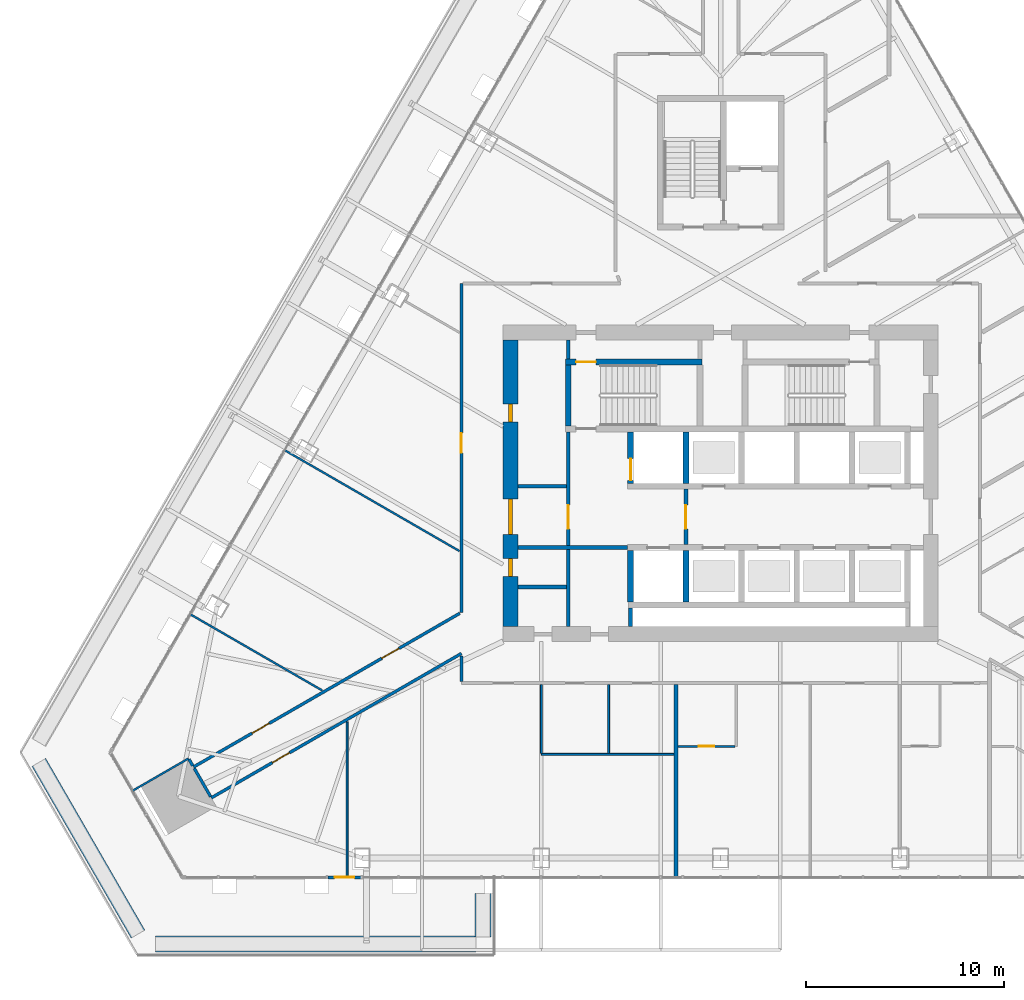
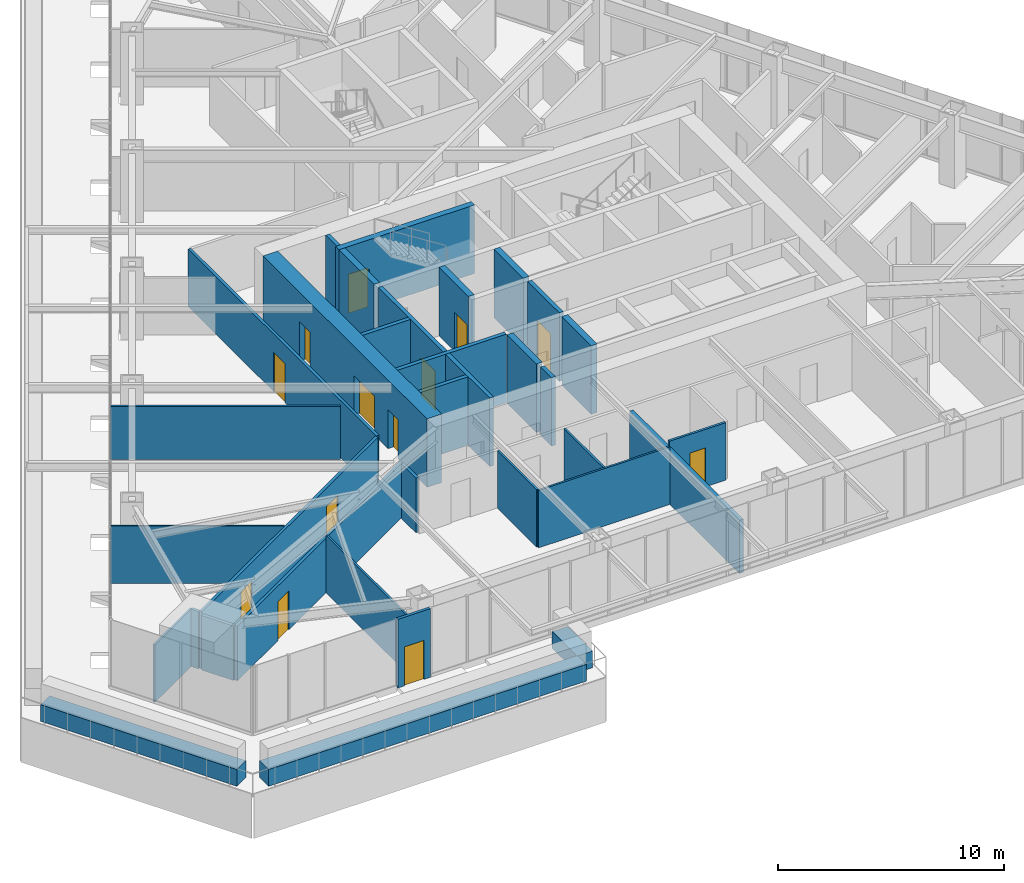
# One storey, part 26 of 35: 34 walls, 13 doors, 13 openings, 1 element without a shape of its own.
"""IFC4 building model written with IfcOpenShell, lengths in metres."""

from ifc_helpers import new_model, si_unit, direction, frame, frame_2d, origin, place, context, subcontext, project, spatial, rectangle, extrude, material, layer, layer_set, type_object, element, fill, aggregate, save


model = new_model("IFC4")

# Units and contexts
model_context = context("Model", 3, precision=1e-05, world=origin(), true_north=direction((0.0, 1.0)))
body_context = subcontext(model_context, "Body", "Model", "MODEL_VIEW")
ifc_project = project(units=[si_unit("LENGTHUNIT", "METRE"), si_unit("AREAUNIT", "SQUARE_METRE"), si_unit("VOLUMEUNIT", "CUBIC_METRE"), si_unit("PLANEANGLEUNIT", "RADIAN"), si_unit("MASSUNIT", "GRAM", prefix="KILO")], contexts=[model_context])

# Site, building, storey
site_placement = place(None, origin())
site = spatial("IfcSite", under=ifc_project, at=site_placement, CompositionType="ELEMENT")
building_placement = place(site_placement, origin())
building = spatial("IfcBuilding", under=site, at=building_placement, Name="Firuza Gate Tower and Library", CompositionType="ELEMENT")
storey_placement = place(building_placement, frame((0.0, 0.0, 159.699951171875)))
storey = spatial("IfcBuildingStorey", under=building, at=storey_placement, Name="L36", CompositionType="ELEMENT", Elevation=159.699951171875)

# Walls
ifc_material_1 = material(Name="Plasterboard on steel studs", Category="steel")
ifc_layer_1 = layer(ifc_material_1, 0.199951171875)
ifc_layer_set_1 = layer_set([ifc_layer_1], Name="Core partition 200 EI 120")
wall_type_1 = type_object("IfcWallType", Name="Core partition 200 EI 120", PredefinedType="PARTITIONING", material=ifc_layer_set_1)
wall_1_placement = place(storey_placement, frame((64.75, 71.75, 0.0), z_axis=(0.0, 0.0, 1.0), x_axis=(1.0, 0.0, 0.0)))
element("IfcWall", 1, at=wall_1_placement, inside=storey, type_object=wall_type_1, Name="Core partition L36 2", PredefinedType="PARTITIONING", context=body_context, shape_type="SweptSolid", body=[
    extrude(rectangle(XDim=5.550048828125, YDim=0.199951171875, at=frame_2d((2.77490234375, 0.0))), origin(), (0.0, 0.0, 1.0), 3.699951171875),
])
wall_2_placement = place(storey_placement, frame((64.75, 74.85009765625, 0.0), z_axis=(0.0, 0.0, 1.0), x_axis=(1.0, 0.0, 0.0)))
element("IfcWall", 2, at=wall_2_placement, inside=storey, type_object=wall_type_1, Name="Core partition L36 4", PredefinedType="PARTITIONING", context=body_context, shape_type="SweptSolid", body=[
    extrude(rectangle(XDim=2.449951171875, YDim=0.199951171875, at=frame_2d((1.22509765625, 0.0))), origin(), (0.0, 0.0, 1.0), 3.699951171875),
])
wall_3_placement = place(storey_placement, frame((67.300048828125, 67.75, 0.0), z_axis=(0.0, 0.0, 1.0), x_axis=(0.0, 1.0, 0.0)))
element("IfcWall", 3, at=wall_3_placement, inside=storey, type_object=wall_type_1, Name="Core partition L36 7", PredefinedType="PARTITIONING", context=body_context, shape_type="SweptSolid", body=[
    extrude(rectangle(XDim=3.89990234375, YDim=0.199951171875, at=frame_2d((1.949951171875, 0.0))), origin(), (0.0, 0.0, 1.0), 3.699951171875),
])

# Wall, opening, door
wall_4_placement = place(storey_placement, frame((67.300048828125, 71.85009765625, 0.0), z_axis=(0.0, 0.0, 1.0), x_axis=(0.0, 1.0, 0.0)))
wall_4 = element("IfcWall", 4, at=wall_4_placement, inside=storey, type_object=wall_type_1, Name="Core partition L36 8", PredefinedType="PARTITIONING", context=body_context, shape_type="SweptSolid", body=[
    extrude(rectangle(XDim=5.75, YDim=0.199951171875, at=frame_2d((2.875, 0.0))), origin(), (0.0, 0.0, 1.0), 3.699951171875),
])
opening_1_placement = place(wall_4_placement, frame((0.85009765625, 0.0, 0.0)))
opening_1 = element("IfcOpeningElement", 5, at=opening_1_placement, cuts=wall_4, Name="Opening L36-K19", PredefinedType="OPENING", context=body_context, shape_type="SweptSolid", body=[
    extrude(rectangle(XDim=1.199951171875, YDim=2.10009765625, at=frame_2d((0.60009765625, 1.050048828125))), frame((0.0, 0.10986328125, 0.0), z_axis=(0.0, -1.0, 0.0), x_axis=(1.0, 0.0, 0.0)), (0.0, 0.0, 1.0), 0.219970703125),
])
ifc_material_2 = material(Name="Steel", Category="steel")
door_type_1 = type_object("IfcDoorType", Name="Fire door 1200x2100 FD90S", OperationType="NOTDEFINED", PredefinedType="DOOR", material=ifc_material_2)
door_1_placement = place(opening_1_placement, origin())
door_1 = element("IfcDoor", 6, at=door_1_placement, inside=storey, type_object=door_type_1, Name="Door L36-K19", OperationType="SINGLE_SWING_RIGHT", OverallHeight=2.10009765625, OverallWidth=1.199951171875, PredefinedType="DOOR", context=body_context, shape_type="SweptSolid", body=[
    extrude(rectangle(XDim=1.199951171875, YDim=2.10009765625, at=frame_2d((0.60009765625, 1.050048828125))), frame((0.0, 0.02490234375, 0.0), z_axis=(0.0, -1.0, 0.0), x_axis=(1.0, 0.0, 0.0)), (0.0, 0.0, 1.0), 0.050048828125),
])
fill(opening_1, door_1)

# Walls
wall_5_placement = place(storey_placement, frame((67.300048828125, 81.280029296875, 0.0), z_axis=(0.0, 0.0, 1.0), x_axis=(0.0, 1.0, 0.0)))
element("IfcWall", 7, at=wall_5_placement, inside=storey, type_object=wall_type_1, Name="Core partition L36 9", PredefinedType="PARTITIONING", context=body_context, shape_type="SweptSolid", body=[
    extrude(rectangle(XDim=0.969970703125, YDim=0.199951171875, at=frame_2d((0.48486328125, 0.0))), origin(), (0.0, 0.0, 1.0), 3.699951171875),
])
wall_6_placement = place(storey_placement, frame((70.449951171875, 67.75, 0.0), z_axis=(0.0, 0.0, 1.0), x_axis=(0.0, 1.0, 0.0)))
element("IfcWall", 8, at=wall_6_placement, inside=storey, type_object=wall_type_1, Name="Core partition L36 10", PredefinedType="PARTITIONING", context=body_context, shape_type="SweptSolid", body=[
    extrude(rectangle(XDim=0.949951171875, YDim=0.199951171875, at=frame_2d((0.47509765625, 0.0))), origin(), (0.0, 0.0, 1.0), 3.699951171875),
])
ifc_material_3 = material(Name="Plasterboard on steel studs", Category="steel")
ifc_layer_2 = layer(ifc_material_3, 0.199951171875)
ifc_layer_set_2 = layer_set([ifc_layer_2], Name="Core partition 200 EI 60")
wall_type_2 = type_object("IfcWallType", Name="Core partition 200 EI 60", PredefinedType="PARTITIONING", material=ifc_layer_set_2)
wall_7_placement = place(storey_placement, frame((64.75, 69.75, 0.0), z_axis=(0.0, 0.0, 1.0), x_axis=(1.0, 0.0, 0.0)))
element("IfcWall", 9, at=wall_7_placement, inside=storey, type_object=wall_type_2, Name="Core partition L36 1", PredefinedType="PARTITIONING", context=body_context, shape_type="SweptSolid", body=[
    extrude(rectangle(XDim=2.449951171875, YDim=0.199951171875, at=frame_2d((1.22509765625, 0.0))), origin(), (0.0, 0.0, 1.0), 3.699951171875),
])

# Wall, opening, door
wall_8_placement = place(storey_placement, frame((73.25, 71.89990234375, 0.0), z_axis=(0.0, 0.0, 1.0), x_axis=(0.0, 1.0, 0.0)))
wall_8 = element("IfcWall", 10, at=wall_8_placement, inside=storey, type_object=wall_type_2, Name="Core partition L36 11", PredefinedType="PARTITIONING", context=body_context, shape_type="SweptSolid", body=[
    extrude(rectangle(XDim=2.800048828125, YDim=0.199951171875, at=frame_2d((1.39990234375, 0.0))), origin(), (0.0, 0.0, 1.0), 3.699951171875),
])
opening_2_placement = place(wall_8_placement, frame((0.800048828125, 0.0, 0.0)))
opening_2 = element("IfcOpeningElement", 11, at=opening_2_placement, cuts=wall_8, Name="Opening L36-K18", PredefinedType="OPENING", context=body_context, shape_type="SweptSolid", body=[
    extrude(rectangle(XDim=1.199951171875, YDim=2.10009765625, at=frame_2d((0.60009765625, 1.050048828125))), frame((0.0, 0.10986328125, 0.0), z_axis=(0.0, -1.0, 0.0), x_axis=(1.0, 0.0, 0.0)), (0.0, 0.0, 1.0), 0.219970703125),
])
door_2_placement = place(opening_2_placement, origin())
door_2 = element("IfcDoor", 12, at=door_2_placement, inside=storey, type_object=door_type_1, Name="Door L36-K18", OperationType="SINGLE_SWING_LEFT", OverallHeight=2.10009765625, OverallWidth=1.199951171875, PredefinedType="DOOR", context=body_context, shape_type="SweptSolid", body=[
    extrude(rectangle(XDim=1.199951171875, YDim=2.10009765625, at=frame_2d((0.60009765625, 1.050048828125))), frame((0.0, 0.02490234375, 0.0), z_axis=(0.0, -1.0, 0.0), x_axis=(1.0, 0.0, 0.0)), (0.0, 0.0, 1.0), 0.050048828125),
])
fill(opening_2, door_2)

# Wall
ifc_material_4 = material(Name="Concrete C80/95", Category="concrete")
ifc_layer_3 = layer(ifc_material_4, 0.300048828125)
ifc_layer_set_3 = layer_set([ifc_layer_3], Name="Core wall 300 C80/95")
wall_type_3 = type_object("IfcWallType", Name="Core wall 300 C80/95", PredefinedType="SHEAR", material=ifc_layer_set_3)
wall_9_placement = place(storey_placement, frame((70.449951171875, 69.0, 0.0), z_axis=(0.0, 0.0, 1.0), x_axis=(0.0, 1.0, 0.0)))
element("IfcWall", 13, at=wall_9_placement, inside=storey, type_object=wall_type_3, Name="Core wall L36 8", PredefinedType="SHEAR", context=body_context, shape_type="SweptSolid", body=[
    extrude(rectangle(XDim=2.60009765625, YDim=0.300048828125, at=frame_2d((1.300048828125, 0.0))), origin(), (0.0, 0.0, 1.0), 3.699951171875),
])

# Wall, opening, door
wall_10_placement = place(storey_placement, frame((70.449951171875, 75.0, 0.0), z_axis=(0.0, 0.0, 1.0), x_axis=(0.0, 1.0, 0.0)))
wall_10 = element("IfcWall", 14, at=wall_10_placement, inside=storey, type_object=wall_type_3, Name="Core wall L36 9", PredefinedType="SHEAR", context=body_context, shape_type="SweptSolid", body=[
    extrude(rectangle(XDim=2.60009765625, YDim=0.300048828125, at=frame_2d((1.300048828125, 0.0))), origin(), (0.0, 0.0, 1.0), 3.699951171875),
])
opening_3_placement = place(wall_10_placement, frame((0.14990234375, 0.0, 0.0)))
opening_3 = element("IfcOpeningElement", 15, at=opening_3_placement, cuts=wall_10, Name="Opening LD-FF2-L36", PredefinedType="OPENING", context=body_context, shape_type="SweptSolid", body=[
    extrude(rectangle(XDim=1.10009765625, YDim=2.10009765625, at=frame_2d((0.550048828125, 1.050048828125))), frame((0.0, 0.16015625, 0.0), z_axis=(0.0, -1.0, 0.0), x_axis=(1.0, 0.0, 0.0)), (0.0, 0.0, 1.0), 0.320068359375),
])
ifc_material_5 = material(Name="Stainless steel", Category="steel")
door_type_2 = type_object("IfcDoorType", Name="Lift landing door 1100x2100", OperationType="DOUBLE_DOOR_SLIDING", PredefinedType="DOOR", material=ifc_material_5)
door_3_placement = place(opening_3_placement, origin())
door_3 = element("IfcDoor", 16, at=door_3_placement, inside=storey, type_object=door_type_2, Name="Landing door FF2 L36", OperationType="DOUBLE_DOOR_SLIDING", OverallHeight=2.10009765625, OverallWidth=1.10009765625, PredefinedType="DOOR", context=body_context, shape_type="SweptSolid", body=[
    extrude(rectangle(XDim=1.10009765625, YDim=2.10009765625, at=frame_2d((0.550048828125, 1.050048828125))), frame((0.0, 0.02490234375, 0.0), z_axis=(0.0, -1.0, 0.0), x_axis=(1.0, 0.0, 0.0)), (0.0, 0.0, 1.0), 0.050048828125),
])
fill(opening_3, door_3)

# Walls
for number, where, z_axis, x_axis, name in (
    (17, (73.25, 69.0, 0.0), (0.0, 0.0, 1.0), (0.0, 1.0, 0.0), "Core wall L36 10"),
    (18, (73.25, 75.0, 0.0), (0.0, 0.0, 1.0), (0.0, 1.0, 0.0), "Core wall L36 11"),
):
    element("IfcWall", number, at=place(storey_placement, frame(where, z_axis=z_axis, x_axis=x_axis)), inside=storey, type_object=wall_type_3, Name=name, PredefinedType="SHEAR", context=body_context, shape_type="SweptSolid", body=[
        extrude(rectangle(XDim=2.60009765625, YDim=0.300048828125, at=frame_2d((1.300048828125, 0.0))), origin(), (0.0, 0.0, 1.0), 3.699951171875),
    ])

# Wall, opening, door
wall_11_placement = place(storey_placement, frame((67.14990234375, 81.1298828125, 0.0), z_axis=(0.0, 0.0, 1.0), x_axis=(1.0, 0.0, 0.0)))
wall_11 = element("IfcWall", 19, at=wall_11_placement, inside=storey, type_object=wall_type_3, Name="Core wall L36 21", PredefinedType="SHEAR", context=body_context, shape_type="SweptSolid", body=[
    extrude(rectangle(XDim=6.91015625, YDim=0.300048828125, at=frame_2d((3.455078125, 0.0))), origin(), (0.0, 0.0, 1.0), 3.699951171875),
])
opening_4_placement = place(wall_11_placement, frame((0.544921875, 0.0, 0.0)))
opening_4 = element("IfcOpeningElement", 20, at=opening_4_placement, cuts=wall_11, Name="Opening L36-K11", PredefinedType="OPENING", context=body_context, shape_type="SweptSolid", body=[
    extrude(rectangle(XDim=1.0, YDim=2.10009765625, at=frame_2d((0.5, 1.050048828125))), frame((0.0, 0.16015625, 0.0), z_axis=(0.0, -1.0, 0.0), x_axis=(1.0, 0.0, 0.0)), (0.0, 0.0, 1.0), 0.320068359375),
])
ifc_material_6 = material(Name="Steel", Category="steel")
door_type_3 = type_object("IfcDoorType", Name="Fire door 1000x2100 FD90", OperationType="NOTDEFINED", PredefinedType="DOOR", material=ifc_material_6)
door_4_placement = place(opening_4_placement, origin())
door_4 = element("IfcDoor", 21, at=door_4_placement, inside=storey, type_object=door_type_3, Name="Door L36-K11", OperationType="SINGLE_SWING_RIGHT", OverallHeight=2.10009765625, OverallWidth=1.0, PredefinedType="DOOR", context=body_context, shape_type="SweptSolid", body=[
    extrude(rectangle(XDim=1.0, YDim=2.10009765625, at=frame_2d((0.5, 1.050048828125))), frame((0.0, 0.02490234375, 0.0), z_axis=(0.0, -1.0, 0.0), x_axis=(1.0, 0.0, 0.0)), (0.0, 0.0, 1.0), 0.050048828125),
])
fill(opening_4, door_4)

# Wall
wall_12_placement = place(storey_placement, frame((67.300048828125, 77.89990234375, 0.0), z_axis=(0.0, 0.0, 1.0), x_axis=(0.0, 1.0, 0.0)))
element("IfcWall", 22, at=wall_12_placement, inside=storey, type_object=wall_type_3, Name="Core wall L36 23", PredefinedType="SHEAR", context=body_context, shape_type="SweptSolid", body=[
    extrude(rectangle(XDim=3.080078125, YDim=0.300048828125, at=frame_2d((1.5400390625, 0.0))), origin(), (0.0, 0.0, 1.0), 3.699951171875),
])

# Wall, openings, doors
ifc_material_7 = material(Name="Concrete C80/95", Category="concrete")
ifc_layer_4 = layer(ifc_material_7, 0.75)
ifc_layer_set_4 = layer_set([ifc_layer_4], Name="Core wall 750 C80/95")
wall_type_4 = type_object("IfcWallType", Name="Core wall 750 C80/95", PredefinedType="SHEAR", material=ifc_layer_set_4)
wall_13_placement = place(storey_placement, frame((64.375, 67.75, 0.0), z_axis=(0.0, 0.0, 1.0), x_axis=(0.0, 1.0, 0.0)))
wall_13 = element("IfcWall", 23, at=wall_13_placement, inside=storey, type_object=wall_type_4, Name="Core wall L36 3", PredefinedType="SHEAR", context=body_context, shape_type="SweptSolid", body=[
    extrude(rectangle(XDim=14.5, YDim=0.75, at=frame_2d((7.25, 0.0))), origin(), (0.0, 0.0, 1.0), 3.699951171875),
])
opening_5_placement = place(wall_13_placement, frame((4.64990234375, 0.0, 0.0)))
opening_5 = element("IfcOpeningElement", 24, at=opening_5_placement, cuts=wall_13, Name="Opening L36-K20", PredefinedType="OPENING", context=body_context, shape_type="SweptSolid", body=[
    extrude(rectangle(XDim=1.800048828125, YDim=2.10009765625, at=frame_2d((0.89990234375, 1.050048828125))), frame((0.0, 0.385009765625, 0.0), z_axis=(0.0, -1.0, 0.0), x_axis=(1.0, 0.0, 0.0)), (0.0, 0.0, 1.0), 0.77001953125),
])
opening_6_placement = place(wall_13_placement, frame((2.550048828125, 0.0, 0.0)))
opening_6 = element("IfcOpeningElement", 25, at=opening_6_placement, cuts=wall_13, Name="Opening L36-K23", PredefinedType="OPENING", context=body_context, shape_type="SweptSolid", body=[
    extrude(rectangle(XDim=0.89990234375, YDim=2.10009765625, at=frame_2d((0.449951171875, 1.050048828125))), frame((0.0, 0.385009765625, 0.0), z_axis=(0.0, -1.0, 0.0), x_axis=(1.0, 0.0, 0.0)), (0.0, 0.0, 1.0), 0.77001953125),
])
opening_7_placement = place(wall_13_placement, frame((10.35009765625, 0.0, 0.0)))
opening_7 = element("IfcOpeningElement", 26, at=opening_7_placement, cuts=wall_13, Name="Opening L36-K25", PredefinedType="OPENING", context=body_context, shape_type="SweptSolid", body=[
    extrude(rectangle(XDim=0.89990234375, YDim=2.10009765625, at=frame_2d((0.449951171875, 1.050048828125))), frame((0.0, 0.385009765625, 0.0), z_axis=(0.0, -1.0, 0.0), x_axis=(1.0, 0.0, 0.0)), (0.0, 0.0, 1.0), 0.77001953125),
])
ifc_material_8 = material(Name="Steel", Category="steel")
door_type_4 = type_object("IfcDoorType", Name="Fire door 1800x2100 FD30S", OperationType="NOTDEFINED", PredefinedType="DOOR", material=ifc_material_8)
door_5_placement = place(opening_5_placement, origin())
door_5 = element("IfcDoor", 27, at=door_5_placement, inside=storey, type_object=door_type_4, Name="Door L36-K20", OperationType="SINGLE_SWING_LEFT", OverallHeight=2.10009765625, OverallWidth=1.800048828125, PredefinedType="DOOR", context=body_context, shape_type="SweptSolid", body=[
    extrude(rectangle(XDim=1.800048828125, YDim=2.10009765625, at=frame_2d((0.89990234375, 1.050048828125))), frame((0.0, 0.094970703125, 0.0), z_axis=(0.0, -1.0, 0.0), x_axis=(1.0, 0.0, 0.0)), (0.0, 0.0, 1.0), 0.18994140625),
])
fill(opening_5, door_5)
ifc_material_9 = material(Name="Steel", Category="steel")
door_type_5 = type_object("IfcDoorType", Name="Fire door 900x2100 FD30S", OperationType="NOTDEFINED", PredefinedType="DOOR", material=ifc_material_9)
door_6_placement = place(opening_6_placement, origin())
door_6 = element("IfcDoor", 28, at=door_6_placement, inside=storey, type_object=door_type_5, Name="Door L36-K23", OperationType="SINGLE_SWING_RIGHT", OverallHeight=2.10009765625, OverallWidth=0.89990234375, PredefinedType="DOOR", context=body_context, shape_type="SweptSolid", body=[
    extrude(rectangle(XDim=0.89990234375, YDim=2.10009765625, at=frame_2d((0.449951171875, 1.050048828125))), frame((0.0, 0.094970703125, 0.0), z_axis=(0.0, -1.0, 0.0), x_axis=(1.0, 0.0, 0.0)), (0.0, 0.0, 1.0), 0.18994140625),
])
fill(opening_6, door_6)
door_7_placement = place(opening_7_placement, origin())
door_7 = element("IfcDoor", 29, at=door_7_placement, inside=storey, type_object=door_type_5, Name="Door L36-K25", OperationType="SINGLE_SWING_RIGHT", OverallHeight=2.10009765625, OverallWidth=0.89990234375, PredefinedType="DOOR", context=body_context, shape_type="SweptSolid", body=[
    extrude(rectangle(XDim=0.89990234375, YDim=2.10009765625, at=frame_2d((0.449951171875, 1.050048828125))), frame((0.0, 0.094970703125, 0.0), z_axis=(0.0, -1.0, 0.0), x_axis=(1.0, 0.0, 0.0)), (0.0, 0.0, 1.0), 0.18994140625),
])
fill(opening_7, door_7)

# Wall, opening, door
ifc_material_10 = material(Name="Gypsum board partition")
ifc_layer_5 = layer(ifc_material_10, 0.14990234375)
ifc_layer_set_5 = layer_set([ifc_layer_5], Name="Corridor wall 150 double board on steel studs")
wall_type_5 = type_object("IfcWallType", Name="Corridor wall 150 double board on steel studs", PredefinedType="PARTITIONING", material=ifc_layer_set_5)
wall_14_placement = place(storey_placement, frame((61.89990234375, 66.3974609375, 0.0), z_axis=(0.0, 0.0, 1.0), x_axis=(-0.86603071172, -0.499990806274, 0.0)))
wall_14 = element("IfcWall", 30, at=wall_14_placement, inside=storey, type_object=wall_type_5, Name="f:L36:w024", PredefinedType="PARTITIONING", context=body_context, shape_type="SweptSolid", body=[
    extrude(rectangle(XDim=14.595458984375, YDim=0.14990234375, at=frame_2d((7.2978515625, 0.0))), origin(), (0.0, 0.0, 1.0), 2.947021484375),
])
opening_8_placement = place(wall_14_placement, frame((10.0322265625, 0.0, 0.0)))
opening_8 = element("IfcOpeningElement", 31, at=opening_8_placement, cuts=wall_14, Name="Opening L36-18", PredefinedType="OPENING", context=body_context, shape_type="SweptSolid", body=[
    extrude(rectangle(XDim=1.0, YDim=2.10009765625, at=frame_2d((0.5, 1.050048828125))), frame((0.0, 0.0849609375, 0.0), z_axis=(0.0, -1.0, 0.0), x_axis=(1.0, 0.0, 0.0)), (0.0, 0.0, 1.0), 0.169921875),
])
ifc_material_11 = material(Name="Steel door and timber leaf", Category="steel")
door_type_6 = type_object("IfcDoorType", Name="Fire door 1000 x 2100 steel frame, timber leaf", OperationType="NOTDEFINED", PredefinedType="DOOR", material=ifc_material_11)
door_8_placement = place(opening_8_placement, origin())
door_8 = element("IfcDoor", 32, at=door_8_placement, inside=storey, type_object=door_type_6, Name="f:L36:d018", OperationType="SINGLE_SWING_RIGHT", OverallHeight=2.10009765625, OverallWidth=1.0, PredefinedType="DOOR", context=body_context, shape_type="SweptSolid", body=[
    extrude(rectangle(XDim=1.0, YDim=2.10009765625, at=frame_2d((0.5, 1.050048828125))), frame((0.0, 0.02490234375, 0.0), z_axis=(0.0, -1.0, 0.0), x_axis=(1.0, 0.0, 0.0)), (0.0, 0.0, 1.0), 0.050048828125),
])
fill(opening_8, door_8)

# Wall, openings, doors
wall_15_placement = place(storey_placement, frame((48.359619140625, 60.65869140625, 0.0), z_axis=(0.0, 0.0, 1.0), x_axis=(0.866033404619, 0.499986141892, 0.0)))
wall_15 = element("IfcWall", 33, at=wall_15_placement, inside=storey, type_object=wall_type_5, Name="f:L36:w027", PredefinedType="PARTITIONING", context=body_context, shape_type="SweptSolid", body=[
    extrude(rectangle(XDim=15.54833984375, YDim=0.14990234375, at=frame_2d((7.774169921875, 0.0))), origin(), (0.0, 0.0, 1.0), 3.10009765625),
])
opening_9_placement = place(wall_15_placement, frame((3.415283203125, 0.0, 0.0)))
opening_9 = element("IfcOpeningElement", 34, at=opening_9_placement, cuts=wall_15, Name="Opening L36-19", PredefinedType="OPENING", context=body_context, shape_type="SweptSolid", body=[
    extrude(rectangle(XDim=1.0, YDim=2.10009765625, at=frame_2d((0.5, 1.050048828125))), frame((0.0, 0.0849609375, 0.0), z_axis=(0.0, -1.0, 0.0), x_axis=(1.0, 0.0, 0.0)), (0.0, 0.0, 1.0), 0.169921875),
])
opening_10_placement = place(wall_15_placement, frame((10.986083984375, 0.0, 0.0)))
opening_10 = element("IfcOpeningElement", 35, at=opening_10_placement, cuts=wall_15, Name="Opening L36-20", PredefinedType="OPENING", context=body_context, shape_type="SweptSolid", body=[
    extrude(rectangle(XDim=1.0, YDim=2.10009765625, at=frame_2d((0.5, 1.050048828125))), frame((0.0, 0.0849609375, 0.0), z_axis=(0.0, -1.0, 0.0), x_axis=(1.0, 0.0, 0.0)), (0.0, 0.0, 1.0), 0.169921875),
])
door_9_placement = place(opening_9_placement, origin())
door_9 = element("IfcDoor", 36, at=door_9_placement, inside=storey, type_object=door_type_6, Name="f:L36:d019", OperationType="SINGLE_SWING_RIGHT", OverallHeight=2.10009765625, OverallWidth=1.0, PredefinedType="DOOR", context=body_context, shape_type="SweptSolid", body=[
    extrude(rectangle(XDim=1.0, YDim=2.10009765625, at=frame_2d((0.5, 1.050048828125))), frame((0.0, 0.02490234375, 0.0), z_axis=(0.0, -1.0, 0.0), x_axis=(1.0, 0.0, 0.0)), (0.0, 0.0, 1.0), 0.050048828125),
])
fill(opening_9, door_9)
door_10_placement = place(opening_10_placement, origin())
door_10 = element("IfcDoor", 37, at=door_10_placement, inside=storey, type_object=door_type_6, Name="f:L36:d020", OperationType="SINGLE_SWING_LEFT", OverallHeight=2.10009765625, OverallWidth=1.0, PredefinedType="DOOR", context=body_context, shape_type="SweptSolid", body=[
    extrude(rectangle(XDim=1.0, YDim=2.10009765625, at=frame_2d((0.5, 1.050048828125))), frame((0.0, 0.02490234375, 0.0), z_axis=(0.0, -1.0, 0.0), x_axis=(1.0, 0.0, 0.0)), (0.0, 0.0, 1.0), 0.050048828125),
])
fill(opening_10, door_10)

# Wall
wall_16_placement = place(storey_placement, frame((61.89990234375, 64.9755859375, 0.0), z_axis=(0.0, 0.0, 1.0), x_axis=(0.0, 1.0, 0.0)))
element("IfcWall", 38, at=wall_16_placement, inside=storey, type_object=wall_type_5, Name="f:L36:w063", PredefinedType="PARTITIONING", context=body_context, shape_type="SweptSolid", body=[
    extrude(rectangle(XDim=1.28515625, YDim=0.14990234375, at=frame_2d((0.642578125, 0.0))), origin(), (0.0, 0.0, 1.0), 2.947021484375),
])

# Wall, opening, door
wall_17_placement = place(storey_placement, frame((61.89990234375, 68.47607421875, 0.0), z_axis=(0.0, 0.0, 1.0), x_axis=(0.0, 1.0, 0.0)))
wall_17 = element("IfcWall", 39, at=wall_17_placement, inside=storey, type_object=wall_type_5, Name="f:L36:w064", PredefinedType="PARTITIONING", context=body_context, shape_type="SweptSolid", body=[
    extrude(rectangle(XDim=16.62353515625, YDim=0.14990234375, at=frame_2d((8.311767578125, 0.0))), origin(), (0.0, 0.0, 1.0), 3.10009765625),
])
opening_11_placement = place(wall_17_placement, frame((8.06396484375, 0.0, 0.0)))
opening_11 = element("IfcOpeningElement", 40, at=opening_11_placement, cuts=wall_17, Name="Opening L36-30", PredefinedType="OPENING", context=body_context, shape_type="SweptSolid", body=[
    extrude(rectangle(XDim=1.0, YDim=2.10009765625, at=frame_2d((0.5, 1.050048828125))), frame((0.0, 0.0849609375, 0.0), z_axis=(0.0, -1.0, 0.0), x_axis=(1.0, 0.0, 0.0)), (0.0, 0.0, 1.0), 0.169921875),
])
door_11_placement = place(opening_11_placement, origin())
door_11 = element("IfcDoor", 41, at=door_11_placement, inside=storey, type_object=door_type_6, Name="f:L36:d030", OperationType="SINGLE_SWING_RIGHT", OverallHeight=2.10009765625, OverallWidth=1.0, PredefinedType="DOOR", context=body_context, shape_type="SweptSolid", body=[
    extrude(rectangle(XDim=1.0, YDim=2.10009765625, at=frame_2d((0.5, 1.050048828125))), frame((0.0, 0.02490234375, 0.0), z_axis=(0.0, -1.0, 0.0), x_axis=(1.0, 0.0, 0.0)), (0.0, 0.0, 1.0), 0.050048828125),
])
fill(opening_11, door_11)

# Walls
wall_18_placement = place(storey_placement, frame((49.221923828125, 59.1650390625, 0.0), z_axis=(0.0, 0.0, 1.0), x_axis=(-0.499991515992, 0.866030301974, 0.0)))
element("IfcWall", 42, at=wall_18_placement, inside=storey, type_object=wall_type_5, Name="f:L36:w067", PredefinedType="PARTITIONING", context=body_context, shape_type="SweptSolid", body=[
    extrude(rectangle(XDim=1.6494140625, YDim=0.14990234375, at=frame_2d((0.82470703125, 0.0))), origin(), (0.0, 0.0, 1.0), 2.947021484375),
])
wall_19_placement = place(storey_placement, frame((48.322265625, 60.723388671875, 0.0), z_axis=(0.0, 0.0, 1.0), x_axis=(-0.499854089722, 0.866109628736, 0.0)))
element("IfcWall", 43, at=wall_19_placement, inside=storey, type_object=wall_type_5, Name="f:L36:w084", PredefinedType="PARTITIONING", context=body_context, shape_type="SweptSolid", body=[
    extrude(rectangle(XDim=0.37451171875, YDim=0.14990234375, at=frame_2d((0.187255859375, 0.0))), origin(), (0.0, 0.0, 1.0), 3.10009765625),
])
ifc_material_12 = material(Name="Gypsum board partition")
ifc_layer_6 = layer(ifc_material_12, 0.199951171875)
ifc_layer_set_6 = layer_set([ifc_layer_6], Name="Demising wall 200 acoustic double stud")
wall_type_6 = type_object("IfcWallType", Name="Demising wall 200 acoustic double stud", PredefinedType="PARTITIONING", material=ifc_layer_set_6)
wall_20_placement = place(storey_placement, frame((72.737060546875, 55.10107421875, 0.0), z_axis=(0.0, 0.0, 1.0), x_axis=(0.0, 1.0, 0.0)))
element("IfcWall", 44, at=wall_20_placement, inside=storey, type_object=wall_type_6, Name="f:L36:w059", PredefinedType="PARTITIONING", context=body_context, shape_type="SweptSolid", body=[
    extrude(rectangle(XDim=9.723876953125, YDim=0.199951171875, at=frame_2d((4.86181640625, 0.0))), origin(), (0.0, 0.0, 1.0), 2.864990234375),
])
ifc_material_13 = material(Name="Gypsum board partition")
ifc_layer_7 = layer(ifc_material_13, 0.10009765625)
ifc_layer_set_7 = layer_set([ifc_layer_7], Name="Partition 100 gypsum board on steel studs")
wall_type_7 = type_object("IfcWallType", Name="Partition 100 gypsum board on steel studs", PredefinedType="PARTITIONING", material=ifc_layer_set_7)
wall_21_placement = place(storey_placement, frame((65.946044921875, 61.300048828125, 0.0), z_axis=(0.0, 0.0, 1.0), x_axis=(1.0, 0.0, 0.0)))
element("IfcWall", 45, at=wall_21_placement, inside=storey, type_object=wall_type_7, Name="f:L36:w003", PredefinedType="PARTITIONING", context=body_context, shape_type="SweptSolid", body=[
    extrude(rectangle(XDim=6.6904296875, YDim=0.10009765625, at=frame_2d((3.34521484375, 0.0))), origin(), (0.0, 0.0, 1.0), 3.10009765625),
])
wall_22_placement = place(storey_placement, frame((45.2861328125, 59.46142578125, 0.0), z_axis=(0.0, 0.0, 1.0), x_axis=(0.866035906198, 0.499981808845, 0.0)))
element("IfcWall", 46, at=wall_22_placement, inside=storey, type_object=wall_type_7, Name="f:L36:w028", PredefinedType="PARTITIONING", context=body_context, shape_type="SweptSolid", body=[
    extrude(rectangle(XDim=3.25927734375, YDim=0.10009765625, at=frame_2d((1.629638671875, 0.0))), origin(), (0.0, 0.0, 1.0), 3.10009765625),
])
for number, where, z_axis, x_axis, name in (
    (47, (69.341064453125, 61.35009765625, 0.0), (0.0, 0.0, 1.0), (0.0, 1.0, 0.0), "f:L36:w061"),
    (48, (65.946044921875, 61.35009765625, 0.0), (0.0, 0.0, 1.0), (0.0, 1.0, 0.0), "f:L36:w062"),
):
    element("IfcWall", number, at=place(storey_placement, frame(where, z_axis=z_axis, x_axis=x_axis)), inside=storey, type_object=wall_type_7, Name=name, PredefinedType="PARTITIONING", context=body_context, shape_type="SweptSolid", body=[
        extrude(rectangle(XDim=3.474853515625, YDim=0.10009765625, at=frame_2d((1.7373046875, 0.0))), origin(), (0.0, 0.0, 1.0), 3.10009765625),
    ])
wall_23_placement = place(storey_placement, frame((56.1220703125, 55.1181640625, 0.0), z_axis=(0.0, 0.0, 1.0), x_axis=(0.0, 1.0, 0.0)))
element("IfcWall", 49, at=wall_23_placement, inside=storey, type_object=wall_type_7, Name="f:L36:w065", PredefinedType="PARTITIONING", context=body_context, shape_type="SweptSolid", body=[
    extrude(rectangle(XDim=7.82666015625, YDim=0.10009765625, at=frame_2d((3.913330078125, 0.0))), origin(), (0.0, 0.0, 1.0), 3.10009765625),
])
wall_24_placement = place(storey_placement, frame((61.79931640625, 71.574462890625, 0.0), z_axis=(0.0, 0.0, 1.0), x_axis=(-0.866020635606, 0.500008258637, 0.0)))
element("IfcWall", 50, at=wall_24_placement, inside=storey, type_object=wall_type_7, Name="f:L36:w080", PredefinedType="PARTITIONING", context=body_context, shape_type="SweptSolid", body=[
    extrude(rectangle(XDim=10.179443359375, YDim=0.10009765625, at=frame_2d((5.08984375, 0.0))), origin(), (0.0, 0.0, 1.0), 2.864990234375),
])
wall_25_placement = place(storey_placement, frame((54.8642578125, 64.5302734375, 0.0), z_axis=(0.0, 0.0, 1.0), x_axis=(-0.86601864019, 0.500011714706, 0.0)))
element("IfcWall", 51, at=wall_25_placement, inside=storey, type_object=wall_type_7, Name="f:L36:w081", PredefinedType="PARTITIONING", context=body_context, shape_type="SweptSolid", body=[
    extrude(rectangle(XDim=7.695556640625, YDim=0.10009765625, at=frame_2d((3.84765625, 0.0))), origin(), (0.0, 0.0, 1.0), 3.10009765625),
])
ifc_material_14 = material(Name="Concrete C40/50", Category="concrete")
ifc_layer_8 = layer(ifc_material_14, 0.800048828125)
ifc_layer_set_8 = layer_set([ifc_layer_8], Name="Planter wall 800")
wall_type_8 = type_object("IfcWallType", Name="Planter wall 800", PredefinedType="SOLIDWALL", material=ifc_layer_set_8)
wall_26_placement = place(storey_placement, frame((40.545654296875, 60.89208984375, 0.0), z_axis=(0.0, 0.0, 1.0), x_axis=(0.49999175339, -0.866030164915, 0.0)))
element("IfcWall", 52, at=wall_26_placement, inside=storey, type_object=wall_type_8, Name="PLANTER L36 4", PredefinedType="SOLIDWALL", context=body_context, shape_type="SweptSolid", body=[
    extrude(rectangle(XDim=10.018798828125, YDim=0.800048828125, at=frame_2d((5.00927734375, 0.0))), origin(), (0.0, 0.0, 1.0), 0.900146484375),
])
wall_27_placement = place(storey_placement, frame((46.4287109375, 51.711181640625, 0.0), z_axis=(0.0, 0.0, 1.0), x_axis=(1.0, 0.0, 0.0)))
element("IfcWall", 53, at=wall_27_placement, inside=storey, type_object=wall_type_8, Name="PLANTER L36 5", PredefinedType="SOLIDWALL", context=body_context, shape_type="SweptSolid", body=[
    extrude(rectangle(XDim=16.21728515625, YDim=0.800048828125, at=frame_2d((8.108642578125, 0.0))), origin(), (0.0, 0.0, 1.0), 0.900146484375),
])
wall_28_placement = place(storey_placement, frame((62.99609375, 52.06103515625, 0.0), z_axis=(0.0, 0.0, 1.0), x_axis=(0.0, 1.0, 0.0)))
element("IfcWall", 54, at=wall_28_placement, inside=storey, type_object=wall_type_8, Name="PLANTER L36 6", PredefinedType="SOLIDWALL", context=body_context, shape_type="SweptSolid", body=[
    extrude(rectangle(XDim=2.2001953125, YDim=0.800048828125, at=frame_2d((1.10009765625, 0.0))), origin(), (0.0, 0.0, 1.0), 0.900146484375),
])

# Curtain wall, wall, opening, door
ifc_material_15 = material(Name="Aluminium 6063-T6", Category="aluminium")
ifc_layer_9 = layer(ifc_material_15, 0.14990234375)
ifc_layer_set_9 = layer_set([ifc_layer_9], Name="Unitised curtain wall, hotel")
curtain_wall_type = type_object("IfcCurtainWallType", Name="Unitised curtain wall, hotel", PredefinedType="NOTDEFINED", material=ifc_layer_set_9)
curtain_wall_placement = place(storey_placement, origin())
curtain_wall = element("IfcCurtainWall", 55, at=curtain_wall_placement, inside=storey, type_object=curtain_wall_type, Name="CW2 L36 S face", PredefinedType="NOTDEFINED")
ifc_material_16 = material(Name="Aluminium 6063-T6", Category="aluminium")
ifc_layer_10 = layer(ifc_material_16, 0.14990234375)
ifc_layer_set_10 = layer_set([ifc_layer_10], Name="Terrace door wall 150")
wall_type_9 = type_object("IfcWallType", Name="Terrace door wall 150", PredefinedType="SOLIDWALL", material=ifc_layer_set_10)
wall_29_placement = place(storey_placement, frame((55.15478515625, 55.086181640625, 0.0), z_axis=(0.0, 0.0, 1.0), x_axis=(1.0, 0.0, 0.0)))
wall_29 = element("IfcWall", 56, at=wall_29_placement, type_object=wall_type_9, Name="Terrace door wall", PredefinedType="SOLIDWALL", context=body_context, shape_type="SweptSolid", body=[
    extrude(rectangle(XDim=1.66845703125, YDim=0.14990234375, at=frame_2d((0.834228515625, 0.0))), origin(), (0.0, 0.0, 1.0), 3.699951171875),
])
opening_12_placement = place(wall_29_placement, frame((0.334228515625, 0.0, 0.0)))
opening_12 = element("IfcOpeningElement", 57, at=opening_12_placement, cuts=wall_29, Name="Opening DR6", PredefinedType="OPENING", context=body_context, shape_type="SweptSolid", body=[
    extrude(rectangle(XDim=1.0, YDim=2.10009765625, at=frame_2d((0.5, 1.050048828125))), frame((0.0, 0.0849609375, 0.0), z_axis=(0.0, -1.0, 0.0), x_axis=(1.0, 0.0, 0.0)), (0.0, 0.0, 1.0), 0.169921875),
])
ifc_material_17 = material(Name="Aluminium 6063-T6 and glass", Category="aluminium")
door_type_7 = type_object("IfcDoorType", Name="Terrace door 1000x2100", OperationType="NOTDEFINED", PredefinedType="DOOR", material=ifc_material_17)
door_12_placement = place(opening_12_placement, origin())
door_12 = element("IfcDoor", 58, at=door_12_placement, inside=storey, type_object=door_type_7, Name="Terrace door", OperationType="SINGLE_SWING_RIGHT", OverallHeight=2.10009765625, OverallWidth=1.0, PredefinedType="DOOR", context=body_context, shape_type="SweptSolid", body=[
    extrude(rectangle(XDim=1.0, YDim=2.10009765625, at=frame_2d((0.5, 1.050048828125))), frame((0.0, 0.02490234375, 0.0), z_axis=(0.0, -1.0, 0.0), x_axis=(1.0, 0.0, 0.0)), (0.0, 0.0, 1.0), 0.050048828125),
])
fill(opening_12, door_12)
aggregate(curtain_wall, [wall_29])

# Wall, opening, door
ifc_material_18 = material(Name="Gypsum board partition")
ifc_layer_11 = layer(ifc_material_18, 0.1201171875)
ifc_layer_set_11 = layer_set([ifc_layer_11], Name="Wet-area partition 120 moisture-resistant board")
wall_type_10 = type_object("IfcWallType", Name="Wet-area partition 120 moisture-resistant board", PredefinedType="PARTITIONING", material=ifc_layer_set_11)
wall_30_placement = place(storey_placement, frame((72.846435546875, 61.699951171875, 0.0), z_axis=(0.0, 0.0, 1.0), x_axis=(1.0, 0.0, 0.0)))
wall_30 = element("IfcWall", 59, at=wall_30_placement, inside=storey, type_object=wall_type_10, Name="f:L36:w004", PredefinedType="PARTITIONING", context=body_context, shape_type="SweptSolid", body=[
    extrude(rectangle(XDim=2.875732421875, YDim=0.1201171875, at=frame_2d((1.43798828125, 0.0))), origin(), (0.0, 0.0, 1.0), 3.10009765625),
])
opening_13_placement = place(wall_30_placement, frame((1.037841796875, 0.0, 0.0)))
opening_13 = element("IfcOpeningElement", 60, at=opening_13_placement, cuts=wall_30, Name="Opening L36-01", PredefinedType="OPENING", context=body_context, shape_type="SweptSolid", body=[
    extrude(rectangle(XDim=0.800048828125, YDim=2.10009765625, at=frame_2d((0.39990234375, 1.050048828125))), frame((0.0, 0.070068359375, 0.0), z_axis=(0.0, -1.0, 0.0), x_axis=(1.0, 0.0, 0.0)), (0.0, 0.0, 1.0), 0.14013671875),
])
ifc_material_19 = material(Name="Timber door", Category="wood")
door_type_8 = type_object("IfcDoorType", Name="Door 800 x 2100 timber leaf", OperationType="NOTDEFINED", PredefinedType="DOOR", material=ifc_material_19)
door_13_placement = place(opening_13_placement, origin())
door_13 = element("IfcDoor", 61, at=door_13_placement, inside=storey, type_object=door_type_8, Name="f:L36:d001", OperationType="SINGLE_SWING_RIGHT", OverallHeight=2.10009765625, OverallWidth=0.800048828125, PredefinedType="DOOR", context=body_context, shape_type="SweptSolid", body=[
    extrude(rectangle(XDim=0.800048828125, YDim=2.10009765625, at=frame_2d((0.39990234375, 1.050048828125))), frame((0.0, 0.02490234375, 0.0), z_axis=(0.0, -1.0, 0.0), x_axis=(1.0, 0.0, 0.0)), (0.0, 0.0, 1.0), 0.050048828125),
])
fill(opening_13, door_13)

save(model, "model.ifc")
